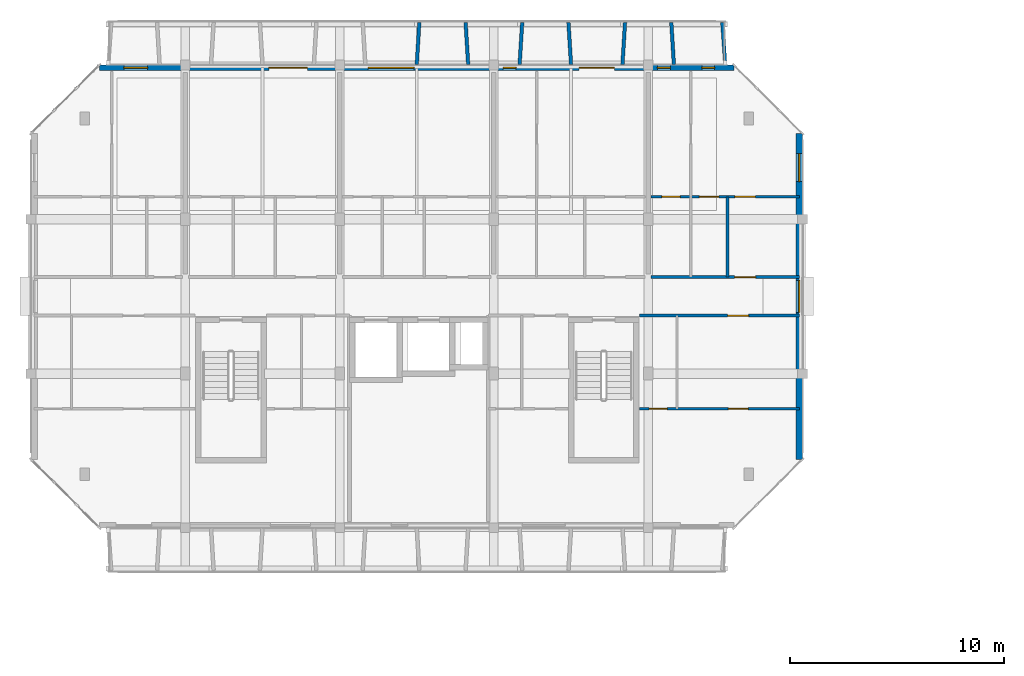
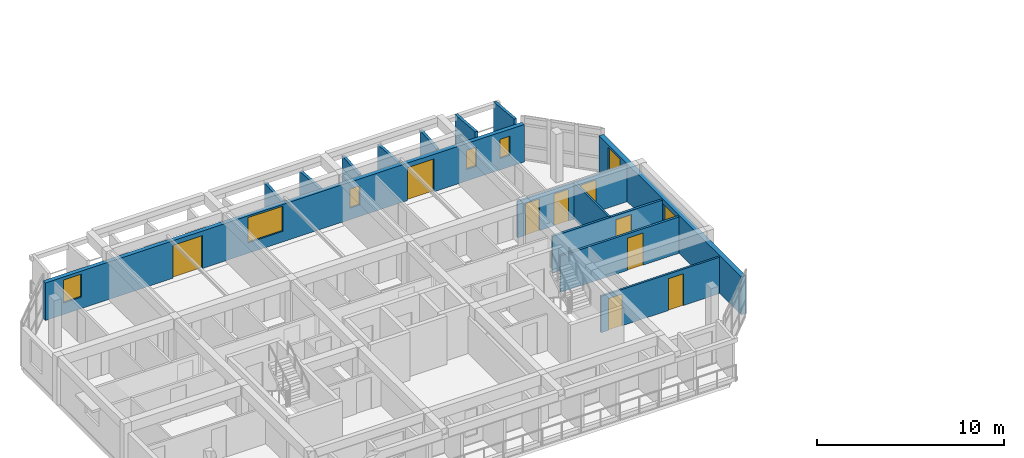
# One storey, part 24 of 43: 14 walls, 9 doors, 7 windows, 16 openings.
"""IFC4 building model written with IfcOpenShell, lengths in metres."""

from ifc_helpers import new_model, si_unit, direction, frame, frame_2d, origin, place, context, subcontext, project, spatial, rectangle, extrude, material, layer, layer_set, type_object, element, fill, save


model = new_model("IFC4")

# Units and contexts
model_context = context("Model", 3, precision=1e-05, world=origin(), true_north=direction((0.0, 1.0)))
body_context = subcontext(model_context, "Body", "Model", "MODEL_VIEW")
ifc_project = project(units=[si_unit("LENGTHUNIT", "METRE"), si_unit("AREAUNIT", "SQUARE_METRE"), si_unit("VOLUMEUNIT", "CUBIC_METRE"), si_unit("PLANEANGLEUNIT", "RADIAN"), si_unit("MASSUNIT", "GRAM", prefix="KILO")], contexts=[model_context])

# Site, building, storey
site_placement = place(None, origin())
site = spatial("IfcSite", under=ifc_project, at=site_placement, CompositionType="ELEMENT")
building_placement = place(site_placement, origin())
building = spatial("IfcBuilding", under=site, at=building_placement, Name="Ochrevale Crest", CompositionType="ELEMENT")
storey_placement = place(building_placement, frame((0.0, 0.0, 30.75)))
storey = spatial("IfcBuildingStorey", under=building, at=storey_placement, Name="L09", CompositionType="ELEMENT", Elevation=30.75)

# Wall, opening, door
ifc_material_1 = material(Name="Gypsum plasterboard", Category="gypsum")
ifc_layer_1 = layer(ifc_material_1, 0.139892578125)
ifc_layer_set_1 = layer_set([ifc_layer_1], Name="Gypsum plasterboard")
wall_type_1 = type_object("IfcWallType", Name="WL-COR-140", PredefinedType="PARTITIONING", material=ifc_layer_set_1)
wall_1_placement = place(storey_placement, frame((28.93994140625, 83.699951171875, 0.0), z_axis=(0.0, 0.0, 1.0), x_axis=(1.0, 0.0, 0.0)))
wall_1 = element("IfcWall", 1, at=wall_1_placement, inside=storey, type_object=wall_type_1, Name="Apartment B-L09-U5 corridor wall", PredefinedType="PARTITIONING", context=body_context, shape_type="SweptSolid", body=[
    extrude(rectangle(XDim=6.920166015625, YDim=0.139892578125, at=frame_2d((3.4599609375, 0.0))), origin(), (0.0, 0.0, 1.0), 2.3798828125),
])
opening_1_placement = place(wall_1_placement, frame((3.89501953125, 0.0, 0.0)))
opening_1 = element("IfcOpeningElement", 2, at=opening_1_placement, cuts=wall_1, Name="Opening FD01", PredefinedType="OPENING", context=body_context, shape_type="SweptSolid", body=[
    extrude(rectangle(XDim=0.97998046875, YDim=2.10009765625, at=frame_2d((0.489990234375, 1.050048828125))), frame((0.0, 0.080078125, 0.0), z_axis=(0.0, -1.0, 0.0), x_axis=(1.0, 0.0, 0.0)), (0.0, 0.0, 1.0), 0.159912109375),
])
ifc_material_2 = material(Name="Solid-core FSC hardwood", Category="wood")
door_type_1 = type_object("IfcDoorType", Name="DR-APT-950", OperationType="NOTDEFINED", PredefinedType="DOOR", material=ifc_material_2)
door_1_placement = place(opening_1_placement, origin())
door_1 = element("IfcDoor", 3, at=door_1_placement, inside=storey, type_object=door_type_1, Name="Apartment B-L09-U5 entrance door", OperationType="SINGLE_SWING_LEFT", OverallHeight=2.10009765625, OverallWidth=0.97998046875, PredefinedType="DOOR", context=body_context, shape_type="SweptSolid", body=[
    extrude(rectangle(XDim=0.97998046875, YDim=2.10009765625, at=frame_2d((0.489990234375, 1.050048828125))), frame((0.0, 0.02490234375, 0.0), z_axis=(0.0, -1.0, 0.0), x_axis=(1.0, 0.0, 0.0)), (0.0, 0.0, 1.0), 0.050048828125),
])
fill(opening_1, door_1)

wall_2_placement = place(storey_placement, frame((28.389892578125, 81.89990234375, 0.0), z_axis=(0.0, 0.0, 1.0), x_axis=(1.0, 0.0, 0.0)))
wall_2 = element("IfcWall", 4, at=wall_2_placement, inside=storey, type_object=wall_type_1, Name="Suite B-L09-CE corridor wall", PredefinedType="PARTITIONING", context=body_context, shape_type="SweptSolid", body=[
    extrude(rectangle(XDim=7.47021484375, YDim=0.139892578125, at=frame_2d((3.735107421875, 0.0))), origin(), (0.0, 0.0, 1.0), 2.3798828125),
])
opening_2_placement = place(wall_2_placement, frame((4.1201171875, 0.0, 0.0)))
opening_2 = element("IfcOpeningElement", 5, at=opening_2_placement, cuts=wall_2, Name="Opening FD01", PredefinedType="OPENING", context=body_context, shape_type="SweptSolid", body=[
    extrude(rectangle(XDim=0.97998046875, YDim=2.10009765625, at=frame_2d((0.489990234375, 1.050048828125))), frame((0.0, 0.080078125, 0.0), z_axis=(0.0, -1.0, 0.0), x_axis=(1.0, 0.0, 0.0)), (0.0, 0.0, 1.0), 0.159912109375),
])
door_2_placement = place(opening_2_placement, origin())
door_2 = element("IfcDoor", 6, at=door_2_placement, inside=storey, type_object=door_type_1, Name="Suite B-L09-CE entrance door", OperationType="SINGLE_SWING_LEFT", OverallHeight=2.10009765625, OverallWidth=0.97998046875, PredefinedType="DOOR", context=body_context, shape_type="SweptSolid", body=[
    extrude(rectangle(XDim=0.97998046875, YDim=2.10009765625, at=frame_2d((0.489990234375, 1.050048828125))), frame((0.0, 0.02490234375, 0.0), z_axis=(0.0, -1.0, 0.0), x_axis=(1.0, 0.0, 0.0)), (0.0, 0.0, 1.0), 0.050048828125),
])
fill(opening_2, door_2)

# Wall, openings, windows
ifc_material_3 = material(Name="Clay face brickwork", Category="masonry")
ifc_layer_2 = layer(ifc_material_3, 0.2900390625)
ifc_layer_set_2 = layer_set([ifc_layer_2], Name="Clay face brickwork")
wall_type_2 = type_object("IfcWallType", Name="WL-EXT-BRICK-290", PredefinedType="SOLIDWALL", material=ifc_layer_set_2)
wall_3_placement = place(storey_placement, frame((35.85498046875, 75.199951171875, 0.0), z_axis=(0.0, 0.0, 1.0), x_axis=(0.0, 1.0, 0.0)))
wall_3 = element("IfcWall", 7, at=wall_3_placement, inside=storey, type_object=wall_type_2, Name="Block B L09 external facade wall E3", PredefinedType="SOLIDWALL", context=body_context, shape_type="SweptSolid", body=[
    extrude(rectangle(XDim=15.199951171875, YDim=0.2900390625, at=frame_2d((7.60009765625, 0.0))), origin(), (0.0, 0.0, 1.0), 2.47998046875),
])
opening_3_placement = place(wall_3_placement, frame((6.85009765625, 0.0, 1.050048828125)))
opening_3 = element("IfcOpeningElement", 8, at=opening_3_placement, cuts=wall_3, Name="Opening W18", PredefinedType="OPENING", context=body_context, shape_type="SweptSolid", body=[
    extrude(rectangle(XDim=1.5, YDim=1.14990234375, at=frame_2d((0.75, 0.574951171875))), frame((0.0, 0.155029296875, 0.0), z_axis=(0.0, -1.0, 0.0), x_axis=(1.0, 0.0, 0.0)), (0.0, 0.0, 1.0), 0.31005859375),
])
opening_4_placement = place(wall_3_placement, frame((12.9599609375, 0.0, 0.75)))
opening_4 = element("IfcOpeningElement", 9, at=opening_4_placement, cuts=wall_3, Name="Opening W30", PredefinedType="OPENING", context=body_context, shape_type="SweptSolid", body=[
    extrude(rectangle(XDim=1.300048828125, YDim=1.550048828125, at=frame_2d((0.64990234375, 0.77490234375))), frame((0.0, 0.155029296875, 0.0), z_axis=(0.0, -1.0, 0.0), x_axis=(1.0, 0.0, 0.0)), (0.0, 0.0, 1.0), 0.31005859375),
])
ifc_material_4 = material(Name="Anodised aluminium 6063-T5 and low-E double glazing", Category="aluminium")
window_type_1 = type_object("IfcWindowType", Name="WIN-W18", PartitioningType="SINGLE_PANEL", PredefinedType="WINDOW", material=ifc_material_4)
window_1_placement = place(opening_3_placement, origin())
window_1 = element("IfcWindow", 10, at=window_1_placement, inside=storey, type_object=window_type_1, Name="Block B L09 corridor end daylight window E", OverallHeight=1.14990234375, OverallWidth=1.5, PartitioningType="SINGLE_PANEL", PredefinedType="WINDOW", context=body_context, shape_type="SweptSolid", body=[
    extrude(rectangle(XDim=1.5, YDim=1.14990234375, at=frame_2d((0.75, 0.574951171875))), frame((0.0, 0.030029296875, 0.0), z_axis=(0.0, -1.0, 0.0), x_axis=(1.0, 0.0, 0.0)), (0.0, 0.0, 1.0), 0.06005859375),
])
fill(opening_3, window_1)
window_type_2 = type_object("IfcWindowType", Name="WIN-W30", PartitioningType="SINGLE_PANEL", PredefinedType="WINDOW", material=ifc_material_4)
window_2_placement = place(opening_4_placement, origin())
window_2 = element("IfcWindow", 11, at=window_2_placement, inside=storey, type_object=window_type_2, Name="Block B L09 side suite window E", OverallHeight=1.550048828125, OverallWidth=1.300048828125, PartitioningType="SINGLE_PANEL", PredefinedType="WINDOW", context=body_context, shape_type="SweptSolid", body=[
    extrude(rectangle(XDim=1.300048828125, YDim=1.550048828125, at=frame_2d((0.64990234375, 0.77490234375))), frame((0.0, 0.030029296875, 0.0), z_axis=(0.0, -1.0, 0.0), x_axis=(1.0, 0.0, 0.0)), (0.0, 0.0, 1.0), 0.06005859375),
])
fill(opening_4, window_2)

# Wall, openings, doors, windows
ifc_material_5 = material(Name="Precast concrete C40/50", Category="concrete")
ifc_layer_3 = layer(ifc_material_5, 0.25)
ifc_layer_set_3 = layer_set([ifc_layer_3], Name="Precast concrete C40/50")
wall_type_3 = type_object("IfcWallType", Name="WL-EXT-GOLD-250", PredefinedType="SOLIDWALL", material=ifc_layer_set_3)
wall_4_placement = place(storey_placement, frame((32.800048828125, 93.47509765625, 0.0), z_axis=(0.0, 0.0, 1.0), x_axis=(-1.0, 0.0, 0.0)))
wall_4 = element("IfcWall", 12, at=wall_4_placement, inside=storey, type_object=wall_type_3, Name="Block B L09 external facade wall E5", PredefinedType="SOLIDWALL", context=body_context, shape_type="SweptSolid", body=[
    extrude(rectangle(XDim=29.60009765625, YDim=0.25, at=frame_2d((14.800048828125, 0.0))), origin(), (0.0, 0.0, 1.0), 2.449951171875),
])
opening_5_placement = place(wall_4_placement, frame((21.699951171875, 0.0, 0.0), z_axis=(0.0, 0.0, 1.0), x_axis=(-1.0, 0.0, 0.0)))
opening_5 = element("IfcOpeningElement", 13, at=opening_5_placement, cuts=wall_4, Name="Opening BD03", PredefinedType="OPENING", context=body_context, shape_type="SweptSolid", body=[
    extrude(rectangle(XDim=1.800048828125, YDim=2.14990234375, at=frame_2d((0.89990234375, 1.074951171875))), frame((0.0, 0.135009765625, 0.0), z_axis=(0.0, -1.0, 0.0), x_axis=(1.0, 0.0, 0.0)), (0.0, 0.0, 1.0), 0.27001953125),
])
opening_6_placement = place(wall_4_placement, frame((7.224853515625, 0.0, 0.0), z_axis=(0.0, 0.0, 1.0), x_axis=(-1.0, 0.0, 0.0)))
opening_6 = element("IfcOpeningElement", 14, at=opening_6_placement, cuts=wall_4, Name="Opening BD02", PredefinedType="OPENING", context=body_context, shape_type="SweptSolid", body=[
    extrude(rectangle(XDim=1.64990234375, YDim=2.14990234375, at=frame_2d((0.824951171875, 1.074951171875))), frame((0.0, 0.135009765625, 0.0), z_axis=(0.0, -1.0, 0.0), x_axis=(1.0, 0.0, 0.0)), (0.0, 0.0, 1.0), 0.27001953125),
])
opening_7_placement = place(wall_4_placement, frame((27.364990234375, 0.0, 0.75)))
opening_7 = element("IfcOpeningElement", 15, at=opening_7_placement, cuts=wall_4, Name="Opening W05", PredefinedType="OPENING", context=body_context, shape_type="SweptSolid", body=[
    extrude(rectangle(XDim=1.10009765625, YDim=1.5, at=frame_2d((0.550048828125, 0.75))), frame((0.0, 0.135009765625, 0.0), z_axis=(0.0, -1.0, 0.0), x_axis=(1.0, 0.0, 0.0)), (0.0, 0.0, 1.0), 0.27001953125),
])
opening_8_placement = place(wall_4_placement, frame((14.925048828125, 0.0, 0.68994140625)))
opening_8 = element("IfcOpeningElement", 16, at=opening_8_placement, cuts=wall_4, Name="Opening W13", PredefinedType="OPENING", context=body_context, shape_type="SweptSolid", body=[
    extrude(rectangle(XDim=2.14990234375, YDim=1.64990234375, at=frame_2d((1.074951171875, 0.824951171875))), frame((0.0, 0.135009765625, 0.0), z_axis=(0.0, -1.0, 0.0), x_axis=(1.0, 0.0, 0.0)), (0.0, 0.0, 1.0), 0.27001953125),
])
opening_9_placement = place(wall_4_placement, frame((10.16748046875, 0.0, 0.75)))
opening_9 = element("IfcOpeningElement", 17, at=opening_9_placement, cuts=wall_4, Name="Opening W01", PredefinedType="OPENING", context=body_context, shape_type="SweptSolid", body=[
    extrude(rectangle(XDim=0.60009765625, YDim=1.25, at=frame_2d((0.300048828125, 0.625))), frame((0.0, 0.135009765625, 0.0), z_axis=(0.0, -1.0, 0.0), x_axis=(1.0, 0.0, 0.0)), (0.0, 0.0, 1.0), 0.27001953125),
])
opening_10_placement = place(wall_4_placement, frame((2.967529296875, 0.0, 0.75)))
opening_10 = element("IfcOpeningElement", 18, at=opening_10_placement, cuts=wall_4, Name="Opening W01", PredefinedType="OPENING", context=body_context, shape_type="SweptSolid", body=[
    extrude(rectangle(XDim=0.60009765625, YDim=1.25, at=frame_2d((0.300048828125, 0.625))), frame((0.0, 0.135009765625, 0.0), z_axis=(0.0, -1.0, 0.0), x_axis=(1.0, 0.0, 0.0)), (0.0, 0.0, 1.0), 0.27001953125),
])
opening_11_placement = place(wall_4_placement, frame((0.89990234375, 0.0, 0.75)))
opening_11 = element("IfcOpeningElement", 19, at=opening_11_placement, cuts=wall_4, Name="Opening W01", PredefinedType="OPENING", context=body_context, shape_type="SweptSolid", body=[
    extrude(rectangle(XDim=0.60009765625, YDim=1.25, at=frame_2d((0.300048828125, 0.625))), frame((0.0, 0.135009765625, 0.0), z_axis=(0.0, -1.0, 0.0), x_axis=(1.0, 0.0, 0.0)), (0.0, 0.0, 1.0), 0.27001953125),
])
ifc_material_6 = material(Name="Anodised aluminium 6063-T5 and toughened glass", Category="aluminium")
door_type_2 = type_object("IfcDoorType", Name="DR-BAL-1650", OperationType="NOTDEFINED", PredefinedType="DOOR", material=ifc_material_6)
door_3_placement = place(opening_6_placement, origin())
door_3 = element("IfcDoor", 20, at=door_3_placement, inside=storey, type_object=door_type_2, Name="Block B L09 balcony door N4", OperationType="SINGLE_SWING_LEFT", OverallHeight=2.14990234375, OverallWidth=1.64990234375, PredefinedType="DOOR", context=body_context, shape_type="SweptSolid", body=[
    extrude(rectangle(XDim=1.64990234375, YDim=2.14990234375, at=frame_2d((0.824951171875, 1.074951171875))), frame((0.0, 0.02490234375, 0.0), z_axis=(0.0, -1.0, 0.0), x_axis=(1.0, 0.0, 0.0)), (0.0, 0.0, 1.0), 0.050048828125),
])
fill(opening_6, door_3)
door_type_3 = type_object("IfcDoorType", Name="DR-BAL-1800", OperationType="NOTDEFINED", PredefinedType="DOOR", material=ifc_material_6)
door_4_placement = place(opening_5_placement, origin())
door_4 = element("IfcDoor", 21, at=door_4_placement, inside=storey, type_object=door_type_3, Name="Block B L09 balcony door N2", OperationType="SINGLE_SWING_RIGHT", OverallHeight=2.14990234375, OverallWidth=1.800048828125, PredefinedType="DOOR", context=body_context, shape_type="SweptSolid", body=[
    extrude(rectangle(XDim=1.800048828125, YDim=2.14990234375, at=frame_2d((0.89990234375, 1.074951171875))), frame((0.0, 0.02490234375, 0.0), z_axis=(0.0, -1.0, 0.0), x_axis=(1.0, 0.0, 0.0)), (0.0, 0.0, 1.0), 0.050048828125),
])
fill(opening_5, door_4)
window_type_3 = type_object("IfcWindowType", Name="WIN-W01", PartitioningType="SINGLE_PANEL", PredefinedType="WINDOW", material=ifc_material_4)
window_3_placement = place(opening_9_placement, origin())
window_3 = element("IfcWindow", 22, at=window_3_placement, inside=storey, type_object=window_type_3, Name="Block B L09 Apartment B-L09-U4 Double Bedroom window", OverallHeight=1.25, OverallWidth=0.60009765625, PartitioningType="SINGLE_PANEL", PredefinedType="WINDOW", context=body_context, shape_type="SweptSolid", body=[
    extrude(rectangle(XDim=0.60009765625, YDim=1.25, at=frame_2d((0.300048828125, 0.625))), frame((0.0, 0.030029296875, 0.0), z_axis=(0.0, -1.0, 0.0), x_axis=(1.0, 0.0, 0.0)), (0.0, 0.0, 1.0), 0.06005859375),
])
fill(opening_9, window_3)
window_4_placement = place(opening_10_placement, origin())
window_4 = element("IfcWindow", 23, at=window_4_placement, inside=storey, type_object=window_type_3, Name="Block B L09 Apartment B-L09-U5 Master Bedroom window", OverallHeight=1.25, OverallWidth=0.60009765625, PartitioningType="SINGLE_PANEL", PredefinedType="WINDOW", context=body_context, shape_type="SweptSolid", body=[
    extrude(rectangle(XDim=0.60009765625, YDim=1.25, at=frame_2d((0.300048828125, 0.625))), frame((0.0, 0.030029296875, 0.0), z_axis=(0.0, -1.0, 0.0), x_axis=(1.0, 0.0, 0.0)), (0.0, 0.0, 1.0), 0.06005859375),
])
fill(opening_10, window_4)
window_5_placement = place(opening_11_placement, origin())
window_5 = element("IfcWindow", 24, at=window_5_placement, inside=storey, type_object=window_type_3, Name="Block B L09 Apartment B-L09-U5 One Bedroom Living Room window", OverallHeight=1.25, OverallWidth=0.60009765625, PartitioningType="SINGLE_PANEL", PredefinedType="WINDOW", context=body_context, shape_type="SweptSolid", body=[
    extrude(rectangle(XDim=0.60009765625, YDim=1.25, at=frame_2d((0.300048828125, 0.625))), frame((0.0, 0.030029296875, 0.0), z_axis=(0.0, -1.0, 0.0), x_axis=(1.0, 0.0, 0.0)), (0.0, 0.0, 1.0), 0.06005859375),
])
fill(opening_11, window_5)
window_type_4 = type_object("IfcWindowType", Name="WIN-W05", PartitioningType="SINGLE_PANEL", PredefinedType="WINDOW", material=ifc_material_4)
window_6_placement = place(opening_7_placement, origin())
window_6 = element("IfcWindow", 25, at=window_6_placement, inside=storey, type_object=window_type_4, Name="Block B L09 Apartment B-L09-U1 One Bedroom Living Room window", OverallHeight=1.5, OverallWidth=1.10009765625, PartitioningType="SINGLE_PANEL", PredefinedType="WINDOW", context=body_context, shape_type="SweptSolid", body=[
    extrude(rectangle(XDim=1.10009765625, YDim=1.5, at=frame_2d((0.550048828125, 0.75))), frame((0.0, 0.030029296875, 0.0), z_axis=(0.0, -1.0, 0.0), x_axis=(1.0, 0.0, 0.0)), (0.0, 0.0, 1.0), 0.06005859375),
])
fill(opening_7, window_6)
window_type_5 = type_object("IfcWindowType", Name="WIN-W13", PartitioningType="SINGLE_PANEL", PredefinedType="WINDOW", material=ifc_material_4)
window_7_placement = place(opening_8_placement, origin())
window_7 = element("IfcWindow", 26, at=window_7_placement, inside=storey, type_object=window_type_5, Name="Block B L09 Studio B-L09-U3 Living Room window", OverallHeight=1.64990234375, OverallWidth=2.14990234375, PartitioningType="SINGLE_PANEL", PredefinedType="WINDOW", context=body_context, shape_type="SweptSolid", body=[
    extrude(rectangle(XDim=2.14990234375, YDim=1.64990234375, at=frame_2d((1.074951171875, 0.824951171875))), frame((0.0, 0.030029296875, 0.0), z_axis=(0.0, -1.0, 0.0), x_axis=(1.0, 0.0, 0.0)), (0.0, 0.0, 1.0), 0.06005859375),
])
fill(opening_8, window_7)

# Walls
ifc_layer_4 = layer(ifc_material_5, 0.1650390625)
ifc_layer_set_4 = layer_set([ifc_layer_4], Name="Precast concrete C40/50")
wall_type_4 = type_object("IfcWallType", Name="WL-HC-CHEEK-165", PredefinedType="ELEMENTEDWALL", material=ifc_layer_set_4)
for number, where, z_axis, x_axis, name in (
    (27, (18.0, 93.6201171875, 0.0), (0.0, 0.0, 1.0), (0.061170732449, 0.998127317276, 0.0), "Block B L09 N precast honeycomb cheek 7"),
    (28, (20.39990234375, 93.6201171875, 0.0), (0.0, 0.0, 1.0), (-0.061046865508, 0.998134900808, 0.0), "Block B L09 N precast honeycomb cheek 8"),
):
    element("IfcWall", number, at=place(storey_placement, frame(where, z_axis=z_axis, x_axis=x_axis)), inside=storey, type_object=wall_type_4, Name=name, PredefinedType="ELEMENTEDWALL", context=body_context, shape_type="SweptSolid", body=[
        extrude(rectangle(XDim=1.963623046875, YDim=0.1650390625, at=frame_2d((0.98193359375, 0.0))), origin(), (0.0, 0.0, 1.0), 2.449951171875),
    ])
for number, where, z_axis, x_axis, name in (
    (29, (22.800048828125, 93.6201171875, 0.0), (0.0, 0.0, 1.0), (0.061046865508, 0.998134900808, 0.0), "Block B L09 N precast honeycomb cheek 9"),
    (30, (25.199951171875, 93.6201171875, 0.0), (0.0, 0.0, 1.0), (-0.061046865508, 0.998134900808, 0.0), "Block B L09 N precast honeycomb cheek 10"),
    (31, (27.60009765625, 93.6201171875, 0.0), (0.0, 0.0, 1.0), (0.061046865508, 0.998134900808, 0.0), "Block B L09 N precast honeycomb cheek 11"),
):
    element("IfcWall", number, at=place(storey_placement, frame(where, z_axis=z_axis, x_axis=x_axis)), inside=storey, type_object=wall_type_4, Name=name, PredefinedType="ELEMENTEDWALL", context=body_context, shape_type="SweptSolid", body=[
        extrude(rectangle(XDim=1.963623046875, YDim=0.1650390625, at=frame_2d((0.98193359375, 0.0))), origin(), (0.0, 0.0, 1.0), 2.530029296875),
    ])
wall_5_placement = place(storey_placement, frame((30.0, 93.6201171875, 0.0), z_axis=(0.0, 0.0, 1.0), x_axis=(-0.061170732449, 0.998127317276, 0.0)))
element("IfcWall", 32, at=wall_5_placement, inside=storey, type_object=wall_type_4, Name="Block B L09 N precast honeycomb cheek 12", PredefinedType="ELEMENTEDWALL", context=body_context, shape_type="SweptSolid", body=[
    extrude(rectangle(XDim=1.963623046875, YDim=0.1650390625, at=frame_2d((0.98193359375, 0.0))), origin(), (0.0, 0.0, 1.0), 2.800048828125),
])
wall_6_placement = place(storey_placement, frame((32.39990234375, 93.6201171875, 0.0), z_axis=(0.0, 0.0, 1.0), x_axis=(-0.071194071069, 0.997462482625, 0.0)))
element("IfcWall", 33, at=wall_6_placement, inside=storey, type_object=wall_type_4, Name="Block B L09 N precast honeycomb cheek 13", PredefinedType="ELEMENTEDWALL", context=body_context, shape_type="SweptSolid", body=[
    extrude(rectangle(XDim=1.96484375, YDim=0.1650390625, at=frame_2d((0.982421875, 0.0))), origin(), (0.0, 0.0, 1.0), 2.800048828125),
])
ifc_layer_5 = layer(ifc_material_1, 0.1201171875)
ifc_layer_set_5 = layer_set([ifc_layer_5], Name="Gypsum plasterboard")
wall_type_5 = type_object("IfcWallType", Name="WL-PART-120", PredefinedType="PARTITIONING", material=ifc_layer_set_5)
wall_7_placement = place(storey_placement, frame((32.5, 83.699951171875, 0.0), z_axis=(0.0, 0.0, 1.0), x_axis=(0.0, 1.0, 0.0)))
element("IfcWall", 34, at=wall_7_placement, inside=storey, type_object=wall_type_5, Name="Apartment B-L09-U5 kitchen-foyer wall", PredefinedType="PARTITIONING", context=body_context, shape_type="SweptSolid", body=[
    extrude(rectangle(XDim=3.75, YDim=0.1201171875, at=frame_2d((1.875, 0.0))), origin(), (0.0, 0.0, 1.0), 2.3798828125),
])

# Wall, openings, doors
wall_8_placement = place(storey_placement, frame((28.93994140625, 87.449951171875, 0.0), z_axis=(0.0, 0.0, 1.0), x_axis=(1.0, 0.0, 0.0)))
wall_8 = element("IfcWall", 35, at=wall_8_placement, inside=storey, type_object=wall_type_5, Name="Apartment B-L09-U5 central partition", PredefinedType="PARTITIONING", context=body_context, shape_type="SweptSolid", body=[
    extrude(rectangle(XDim=6.920166015625, YDim=0.1201171875, at=frame_2d((3.4599609375, 0.0))), origin(), (0.0, 0.0, 1.0), 2.3798828125),
])
opening_12_placement = place(wall_8_placement, frame((1.35009765625, 0.0, 0.0), z_axis=(0.0, 0.0, 1.0), x_axis=(-1.0, 0.0, 0.0)))
opening_12 = element("IfcOpeningElement", 36, at=opening_12_placement, cuts=wall_8, Name="Opening ID01", PredefinedType="OPENING", context=body_context, shape_type="SweptSolid", body=[
    extrude(rectangle(XDim=0.85009765625, YDim=2.080078125, at=frame_2d((0.425048828125, 1.0400390625))), frame((0.0, 0.070068359375, 0.0), z_axis=(0.0, -1.0, 0.0), x_axis=(1.0, 0.0, 0.0)), (0.0, 0.0, 1.0), 0.14013671875),
])
opening_13_placement = place(wall_8_placement, frame((2.2548828125, 0.0, 0.0)))
opening_13 = element("IfcOpeningElement", 37, at=opening_13_placement, cuts=wall_8, Name="Opening ID02", PredefinedType="OPENING", context=body_context, shape_type="SweptSolid", body=[
    extrude(rectangle(XDim=0.89990234375, YDim=2.080078125, at=frame_2d((0.449951171875, 1.0400390625))), frame((0.0, 0.070068359375, 0.0), z_axis=(0.0, -1.0, 0.0), x_axis=(1.0, 0.0, 0.0)), (0.0, 0.0, 1.0), 0.14013671875),
])
opening_14_placement = place(wall_8_placement, frame((4.85986328125, 0.0, 0.0), z_axis=(0.0, 0.0, 1.0), x_axis=(-1.0, 0.0, 0.0)))
opening_14 = element("IfcOpeningElement", 38, at=opening_14_placement, cuts=wall_8, Name="Opening ID06", PredefinedType="OPENING", context=body_context, shape_type="SweptSolid", body=[
    extrude(rectangle(XDim=0.949951171875, YDim=2.080078125, at=frame_2d((0.47509765625, 1.0400390625))), frame((0.0, 0.070068359375, 0.0), z_axis=(0.0, -1.0, 0.0), x_axis=(1.0, 0.0, 0.0)), (0.0, 0.0, 1.0), 0.14013671875),
])
door_type_4 = type_object("IfcDoorType", Name="DR-INT-900", OperationType="NOTDEFINED", PredefinedType="DOOR", material=ifc_material_2)
door_5_placement = place(opening_13_placement, origin())
door_5 = element("IfcDoor", 39, at=door_5_placement, inside=storey, type_object=door_type_4, Name="Apartment B-L09-U5 Kitchen door", OperationType="SINGLE_SWING_LEFT", OverallHeight=2.080078125, OverallWidth=0.89990234375, PredefinedType="DOOR", context=body_context, shape_type="SweptSolid", body=[
    extrude(rectangle(XDim=0.89990234375, YDim=2.080078125, at=frame_2d((0.449951171875, 1.0400390625))), frame((0.0, 0.02490234375, 0.0), z_axis=(0.0, -1.0, 0.0), x_axis=(1.0, 0.0, 0.0)), (0.0, 0.0, 1.0), 0.050048828125),
])
fill(opening_13, door_5)
door_type_5 = type_object("IfcDoorType", Name="DR-INT-950", OperationType="NOTDEFINED", PredefinedType="DOOR", material=ifc_material_2)
door_6_placement = place(opening_14_placement, origin())
door_6 = element("IfcDoor", 40, at=door_6_placement, inside=storey, type_object=door_type_5, Name="Apartment B-L09-U5 Living Foyer door", OperationType="SINGLE_SWING_RIGHT", OverallHeight=2.080078125, OverallWidth=0.949951171875, PredefinedType="DOOR", context=body_context, shape_type="SweptSolid", body=[
    extrude(rectangle(XDim=0.949951171875, YDim=2.080078125, at=frame_2d((0.47509765625, 1.0400390625))), frame((0.0, 0.02490234375, 0.0), z_axis=(0.0, -1.0, 0.0), x_axis=(1.0, 0.0, 0.0)), (0.0, 0.0, 1.0), 0.050048828125),
])
fill(opening_14, door_6)
door_type_6 = type_object("IfcDoorType", Name="DR-WC-850", OperationType="NOTDEFINED", PredefinedType="DOOR", material=ifc_material_2)
door_7_placement = place(opening_12_placement, origin())
door_7 = element("IfcDoor", 41, at=door_7_placement, inside=storey, type_object=door_type_6, Name="Apartment B-L09-U5 Bathroom door", OperationType="SINGLE_SWING_RIGHT", OverallHeight=2.080078125, OverallWidth=0.85009765625, PredefinedType="DOOR", context=body_context, shape_type="SweptSolid", body=[
    extrude(rectangle(XDim=0.85009765625, YDim=2.080078125, at=frame_2d((0.425048828125, 1.0400390625))), frame((0.0, 0.02490234375, 0.0), z_axis=(0.0, -1.0, 0.0), x_axis=(1.0, 0.0, 0.0)), (0.0, 0.0, 1.0), 0.050048828125),
])
fill(opening_12, door_7)

wall_9_placement = place(storey_placement, frame((28.389892578125, 77.550048828125, 0.0), z_axis=(0.0, 0.0, 1.0), x_axis=(1.0, 0.0, 0.0)))
wall_9 = element("IfcWall", 42, at=wall_9_placement, inside=storey, type_object=wall_type_5, Name="Suite B-L09-CE internal wall", PredefinedType="PARTITIONING", context=body_context, shape_type="SweptSolid", body=[
    extrude(rectangle(XDim=7.47021484375, YDim=0.1201171875, at=frame_2d((3.735107421875, 0.0))), origin(), (0.0, 0.0, 1.0), 2.3798828125),
])
opening_15_placement = place(wall_9_placement, frame((1.300048828125, 0.0, 0.0), z_axis=(0.0, 0.0, 1.0), x_axis=(-1.0, 0.0, 0.0)))
opening_15 = element("IfcOpeningElement", 43, at=opening_15_placement, cuts=wall_9, Name="Opening ID01", PredefinedType="OPENING", context=body_context, shape_type="SweptSolid", body=[
    extrude(rectangle(XDim=0.85009765625, YDim=2.080078125, at=frame_2d((0.425048828125, 1.0400390625))), frame((0.0, 0.070068359375, 0.0), z_axis=(0.0, -1.0, 0.0), x_axis=(1.0, 0.0, 0.0)), (0.0, 0.0, 1.0), 0.14013671875),
])
opening_16_placement = place(wall_9_placement, frame((4.14990234375, 0.0, 0.0)))
opening_16 = element("IfcOpeningElement", 44, at=opening_16_placement, cuts=wall_9, Name="Opening ID04", PredefinedType="OPENING", context=body_context, shape_type="SweptSolid", body=[
    extrude(rectangle(XDim=0.919921875, YDim=2.080078125, at=frame_2d((0.4599609375, 1.0400390625))), frame((0.0, 0.070068359375, 0.0), z_axis=(0.0, -1.0, 0.0), x_axis=(1.0, 0.0, 0.0)), (0.0, 0.0, 1.0), 0.14013671875),
])
door_type_7 = type_object("IfcDoorType", Name="DR-INT-920", OperationType="NOTDEFINED", PredefinedType="DOOR", material=ifc_material_2)
door_8_placement = place(opening_16_placement, origin())
door_8 = element("IfcDoor", 45, at=door_8_placement, inside=storey, type_object=door_type_7, Name="Suite B-L09-CE Master Bedroom door", OperationType="SINGLE_SWING_LEFT", OverallHeight=2.080078125, OverallWidth=0.919921875, PredefinedType="DOOR", context=body_context, shape_type="SweptSolid", body=[
    extrude(rectangle(XDim=0.919921875, YDim=2.080078125, at=frame_2d((0.4599609375, 1.0400390625))), frame((0.0, 0.02490234375, 0.0), z_axis=(0.0, -1.0, 0.0), x_axis=(1.0, 0.0, 0.0)), (0.0, 0.0, 1.0), 0.050048828125),
])
fill(opening_16, door_8)
door_9_placement = place(opening_15_placement, origin())
door_9 = element("IfcDoor", 46, at=door_9_placement, inside=storey, type_object=door_type_6, Name="Suite B-L09-CE Bathroom door", OperationType="SINGLE_SWING_RIGHT", OverallHeight=2.080078125, OverallWidth=0.85009765625, PredefinedType="DOOR", context=body_context, shape_type="SweptSolid", body=[
    extrude(rectangle(XDim=0.85009765625, YDim=2.080078125, at=frame_2d((0.425048828125, 1.0400390625))), frame((0.0, 0.02490234375, 0.0), z_axis=(0.0, -1.0, 0.0), x_axis=(1.0, 0.0, 0.0)), (0.0, 0.0, 1.0), 0.050048828125),
])
fill(opening_15, door_9)

save(model, "model.ifc")
